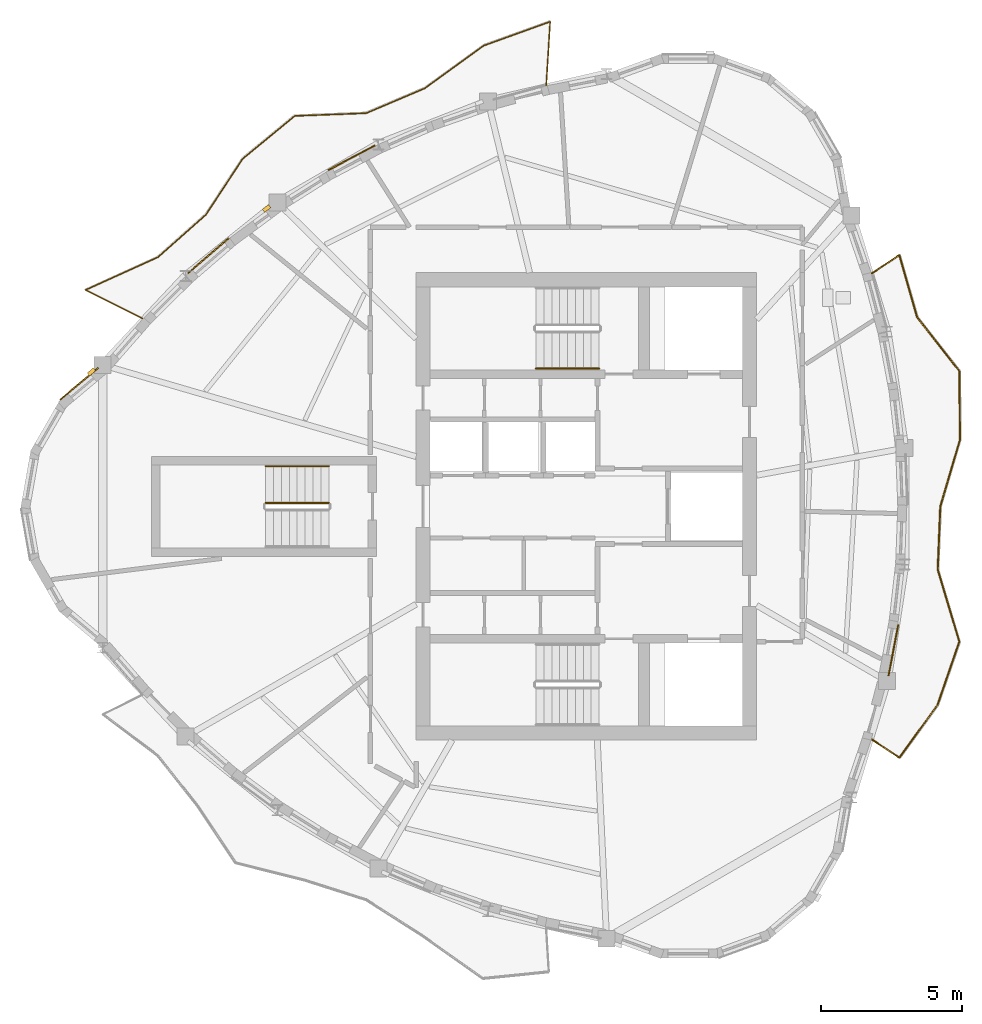
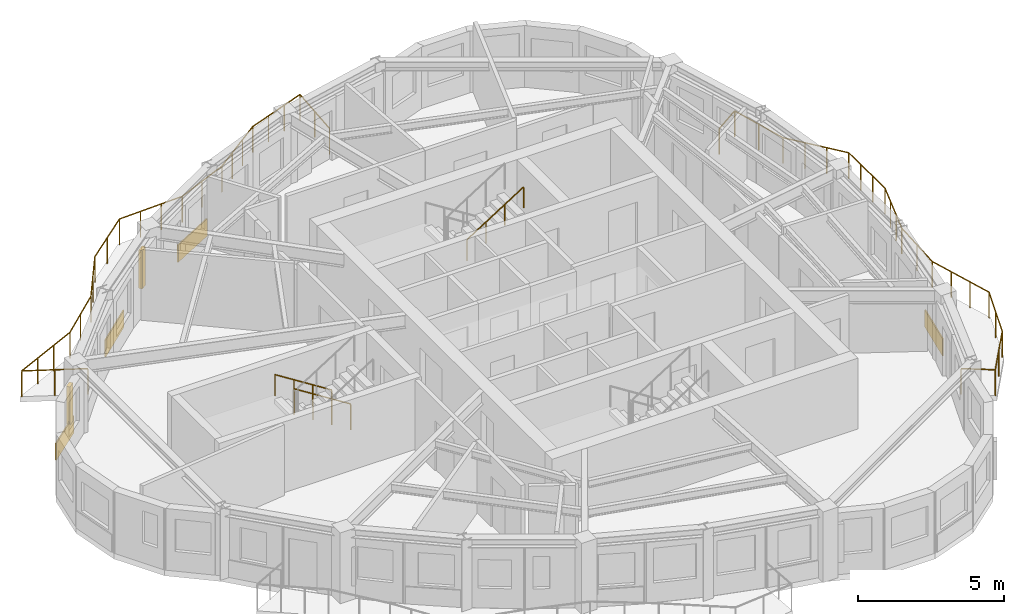
# One storey, part 9 of 11: 5 railings, 4 coverings, 2 shading devices.
"""IFC4 building model written with IfcOpenShell, lengths in metres."""

from ifc_helpers import new_model, si_unit, direction, frame, origin, origin_2d, place, context, subcontext, project, spatial, rectangle, circle, extrude, source, transform, mapped, material, layer, layer_set, type_object, element, save


model = new_model("IFC4")

# Units and contexts
model_context = context("Model", 3, precision=1e-05, world=origin(), true_north=direction((0.0, 1.0)))
body_context = subcontext(model_context, "Body", "Model", "MODEL_VIEW")
ifc_project = project(units=[si_unit("LENGTHUNIT", "METRE"), si_unit("AREAUNIT", "SQUARE_METRE"), si_unit("VOLUMEUNIT", "CUBIC_METRE"), si_unit("PLANEANGLEUNIT", "RADIAN"), si_unit("MASSUNIT", "GRAM", prefix="KILO")], contexts=[model_context])

# Site, building, storey
site_placement = place(None, origin())
site = spatial("IfcSite", under=ifc_project, at=site_placement, CompositionType="ELEMENT")
building_placement = place(site_placement, origin())
building = spatial("IfcBuilding", under=site, at=building_placement, Name="Qafzar Sky-Pleat Residences", CompositionType="ELEMENT")
storey_placement = place(building_placement, frame((0.0, 0.0, 243.60009765625)))
storey = spatial("IfcBuildingStorey", under=building, at=storey_placement, Name="L73", CompositionType="ELEMENT", Elevation=243.60009765625)

# Shading devices
ifc_material_1 = material(Name="Honed Riyadh limestone solar fin", Category="masonry")
ifc_layer_1 = layer(ifc_material_1, 0.139892578125)
ifc_layer_set_1 = layer_set([ifc_layer_1], Name="Honed Riyadh limestone solar fin")
shading_device_type = type_object("IfcShadingDeviceType", Name="SHD-FIN-STONE", PredefinedType="SHUTTER", material=ifc_layer_set_1)
shared_shape_1 = source(origin(), body_context, "Body", "SweptSolid", [
    extrude(rectangle(XDim=0.139892578125, YDim=0.280029296875, at=origin_2d()), origin(), (0.0, 0.0, 1.0), 1.60009765625),
])
for number, where, z_axis, x_axis, name in (
    (1, (12.77001953125, 30.7763671875, 0.599853515625), (0.0, 0.0, 1.0), (-0.642754210861, 0.76607246682, 0.0), "L73 Limestone Solar Fin 1"),
    (2, (18.992431640625, 36.58154296875, 0.599853515625), (0.0, 0.0, 1.0), (-0.594858533084, 0.803830408492, 0.0), "L73 Limestone Solar Fin 45"),
):
    element("IfcShadingDevice", number, at=place(storey_placement, frame(where, z_axis=z_axis, x_axis=x_axis)), inside=storey, type_object=shading_device_type, Name=name, PredefinedType="SHUTTER", context=body_context, shape_type="MappedRepresentation", body=[
        mapped(shared_shape_1, transform((0.0, 0.0, 0.0), x_axis=(1.0, 0.0, 0.0), y_axis=(0.0, 1.0, 0.0), z_axis=(0.0, 0.0, 1.0), scale=1.0)),
    ])

# Covering
ifc_material_2 = material(Name="Honed Riyadh Tuwaiq limestone cladding", Category="masonry")
ifc_layer_2 = layer(ifc_material_2, 0.044921875)
ifc_layer_set_2 = layer_set([ifc_layer_2], Name="Honed Riyadh Tuwaiq limestone cladding")
covering_type = type_object("IfcCoveringType", Name="COV-CLAD-STONE", PredefinedType="CLADDING", material=ifc_layer_set_2)
shared_shape_2 = source(origin(), body_context, "Body", "SweptSolid", [
    extrude(rectangle(XDim=1.76611328125, YDim=0.044921875, at=origin_2d()), origin(), (0.0, 0.0, 1.0), 0.719970703125),
])
covering_1_placement = place(storey_placement, frame((12.330322265625, 30.351318359375, 0.02001953125), z_axis=(0.0, 0.0, 1.0), x_axis=(-0.76607417096, -0.642752179762, 0.0)))
element("IfcCovering", 3, at=covering_1_placement, inside=storey, type_object=covering_type, Name="L73 Riyadh Limestone Spandrel Cladding 1", PredefinedType="CLADDING", context=body_context, shape_type="MappedRepresentation", body=[
    mapped(shared_shape_2, transform((0.0, 0.0, 0.0), x_axis=(1.0, 0.0, 0.0), y_axis=(0.0, 1.0, 0.0), z_axis=(0.0, 0.0, 1.0), scale=1.0)),
])

# Railings
ifc_material_3 = material(Name="Laminated glass and bronze steel balustrade", Category="steel")
railing_type_1 = type_object("IfcRailingType", Name="RAIL-BAL-1100", PredefinedType="BALUSTRADE", material=ifc_material_3)
shared_shape_3 = source(origin(), body_context, "Body", "SweptSolid", [
    extrude(circle(Radius=0.02392578125, at=origin_2d()), frame((0.0, 0.0, 1.076171875), z_axis=(0.833450721397, -0.552593788422, 0.0), x_axis=(0.552593788422, 0.833450721397, 0.0)), (0.0, 0.0, 1.0), 1.177978515625),
    extrude(circle(Radius=0.02392578125, at=origin_2d()), frame((0.981689453125, -0.65087890625, 1.076171875), z_axis=(0.586856651155, 0.809690849025, 0.0), x_axis=(-0.809690849025, 0.586856651155, 0.0)), (0.0, 0.0, 1.0), 2.308349609375),
    extrude(circle(Radius=0.02392578125, at=origin_2d()), frame((2.33642578125, 1.21826171875, 1.076171875), z_axis=(0.326575214364, 0.945171216957, 0.0), x_axis=(-0.945171216957, 0.326575214364, 0.0)), (0.0, 0.0, 1.0), 2.381103515625),
    extrude(circle(Radius=0.02392578125, at=origin_2d()), frame((3.114013671875, 3.46875, 1.076171875), z_axis=(-0.28765775721, 0.957733269087, 0.0), x_axis=(-0.957733269087, -0.28765775721, 0.0)), (0.0, 0.0, 1.0), 2.67431640625),
    extrude(circle(Radius=0.02392578125, at=origin_2d()), frame((2.3447265625, 6.030029296875, 1.076171875), z_axis=(0.040957231652, 0.999160900544, 0.0), x_axis=(-0.999160900544, 0.040957231652, 0.0)), (0.0, 0.0, 1.0), 2.247314453125),
    extrude(circle(Radius=0.02392578125, at=origin_2d()), frame((2.436767578125, 8.275390625, 1.076171875), z_axis=(0.283430981813, 0.95899263738, 0.0), x_axis=(-0.95899263738, 0.283430981813, 0.0)), (0.0, 0.0, 1.0), 2.466064453125),
    extrude(circle(Radius=0.02392578125, at=origin_2d()), frame((3.1357421875, 10.640380859375, 1.076171875), z_axis=(-0.008898757731, 0.999960405272, 0.0), x_axis=(-0.999960405272, -0.008898757731, 0.0)), (0.0, 0.0, 1.0), 2.441650390625),
    extrude(circle(Radius=0.02392578125, at=origin_2d()), frame((3.114013671875, 13.08203125, 1.076171875), z_axis=(-0.618279283458, 0.78595847705, 0.0), x_axis=(-0.78595847705, -0.618279283458, 0.0)), (0.0, 0.0, 1.0), 2.42578125),
    extrude(circle(Radius=0.02392578125, at=origin_2d()), frame((1.6142578125, 14.988525390625, 1.076171875), z_axis=(-0.274819188266, 0.961495924984, 0.0), x_axis=(-0.961495924984, -0.274819188266, 0.0)), (0.0, 0.0, 1.0), 2.3017578125),
    extrude(circle(Radius=0.02392578125, at=origin_2d()), frame((0.981689453125, 17.20166015625, 1.076171875), z_axis=(-0.833450721397, -0.552593788422, 0.0), x_axis=(0.552593788422, -0.833450721397, 0.0)), (0.0, 0.0, 1.0), 1.177978515625),
    extrude(circle(Radius=0.02099609375, at=origin_2d()), origin(), (0.0, 0.0, 1.0), 1.052001953125),
    extrude(circle(Radius=0.02099609375, at=origin_2d()), frame((0.981689453125, -0.65087890625, 0.0)), (0.0, 0.0, 1.0), 1.052001953125),
    extrude(circle(Radius=0.02099609375, at=origin_2d()), frame((1.6591796875, 0.28369140625, 0.0)), (0.0, 0.0, 1.0), 1.052001953125),
    extrude(circle(Radius=0.02099609375, at=origin_2d()), frame((2.33642578125, 1.21826171875, 0.0)), (0.0, 0.0, 1.0), 1.052001953125),
    extrude(circle(Radius=0.02099609375, at=origin_2d()), frame((2.72509765625, 2.343505859375, 0.0)), (0.0, 0.0, 1.0), 1.052001953125),
    extrude(circle(Radius=0.02099609375, at=origin_2d()), frame((3.114013671875, 3.46875, 0.0)), (0.0, 0.0, 1.0), 1.052001953125),
    extrude(circle(Radius=0.02099609375, at=origin_2d()), frame((2.857666015625, 4.322509765625, 0.0)), (0.0, 0.0, 1.0), 1.052001953125),
    extrude(circle(Radius=0.02099609375, at=origin_2d()), frame((2.60107421875, 5.17626953125, 0.0)), (0.0, 0.0, 1.0), 1.052001953125),
    extrude(circle(Radius=0.02099609375, at=origin_2d()), frame((2.3447265625, 6.030029296875, 0.0)), (0.0, 0.0, 1.0), 1.052001953125),
    extrude(circle(Radius=0.02099609375, at=origin_2d()), frame((2.390625, 7.15283203125, 0.0)), (0.0, 0.0, 1.0), 1.052001953125),
    extrude(circle(Radius=0.02099609375, at=origin_2d()), frame((2.436767578125, 8.275390625, 0.0)), (0.0, 0.0, 1.0), 1.052001953125),
    extrude(circle(Radius=0.02099609375, at=origin_2d()), frame((2.669677734375, 9.063720703125, 0.0)), (0.0, 0.0, 1.0), 1.052001953125),
    extrude(circle(Radius=0.02099609375, at=origin_2d()), frame((2.90283203125, 9.85205078125, 0.0)), (0.0, 0.0, 1.0), 1.052001953125),
    extrude(circle(Radius=0.02099609375, at=origin_2d()), frame((3.1357421875, 10.640380859375, 0.0)), (0.0, 0.0, 1.0), 1.052001953125),
    extrude(circle(Radius=0.02099609375, at=origin_2d()), frame((3.12841796875, 11.454345703125, 0.0)), (0.0, 0.0, 1.0), 1.052001953125),
    extrude(circle(Radius=0.02099609375, at=origin_2d()), frame((3.121337890625, 12.26806640625, 0.0)), (0.0, 0.0, 1.0), 1.052001953125),
    extrude(circle(Radius=0.02099609375, at=origin_2d()), frame((3.114013671875, 13.08203125, 0.0)), (0.0, 0.0, 1.0), 1.052001953125),
    extrude(circle(Radius=0.02099609375, at=origin_2d()), frame((2.614013671875, 13.717529296875, 0.0)), (0.0, 0.0, 1.0), 1.052001953125),
    extrude(circle(Radius=0.02099609375, at=origin_2d()), frame((2.1142578125, 14.35302734375, 0.0)), (0.0, 0.0, 1.0), 1.052001953125),
    extrude(circle(Radius=0.02099609375, at=origin_2d()), frame((1.6142578125, 14.988525390625, 0.0)), (0.0, 0.0, 1.0), 1.052001953125),
    extrude(circle(Radius=0.02099609375, at=origin_2d()), frame((1.2978515625, 16.09521484375, 0.0)), (0.0, 0.0, 1.0), 1.052001953125),
    extrude(circle(Radius=0.02099609375, at=origin_2d()), frame((0.981689453125, 17.20166015625, 0.0)), (0.0, 0.0, 1.0), 1.052001953125),
    extrude(circle(Radius=0.02099609375, at=origin_2d()), frame((0.0, 16.55078125, 0.0)), (0.0, 0.0, 1.0), 1.052001953125),
])
railing_1_placement = place(storey_placement, frame((40.484619140625, 17.724609375, 0.0)))
element("IfcRailing", 4, at=railing_1_placement, inside=storey, type_object=railing_type_1, Name="L73 Pleated Balcony 1 Balustrade", PredefinedType="BALUSTRADE", context=body_context, shape_type="MappedRepresentation", body=[
    mapped(shared_shape_3, transform((0.0, 0.0, 0.0), x_axis=(1.0, 0.0, 0.0), y_axis=(0.0, 1.0, 0.0), z_axis=(0.0, 0.0, 1.0), scale=1.0)),
])
shared_shape_4 = source(origin(), body_context, "Body", "SweptSolid", [
    extrude(circle(Radius=0.02392578125, at=origin_2d()), frame((0.0, 0.0, 1.076171875), z_axis=(0.061715590593, 0.998093776094, 0.0), x_axis=(-0.998093776094, 0.061715590593, 0.0)), (0.0, 0.0, 1.0), 2.270751953125),
    extrude(circle(Radius=0.02392578125, at=origin_2d()), frame((0.14013671875, 2.266357421875, 1.076171875), z_axis=(-0.940737430186, -0.339135794995, 0.0), x_axis=(0.339135794995, -0.940737430186, 0.0)), (0.0, 0.0, 1.0), 2.512451171875),
    extrude(circle(Radius=0.02392578125, at=origin_2d()), frame((-2.223388671875, 1.414306640625, 1.076171875), z_axis=(-0.809869436571, -0.586610173546, 0.0), x_axis=(0.586610173546, -0.809869436571, 0.0)), (0.0, 0.0, 1.0), 2.586181640625),
    extrude(circle(Radius=0.02392578125, at=origin_2d()), frame((-4.31787109375, -0.102783203125, 1.076171875), z_axis=(-0.920505136057, -0.390730462713, 0.0), x_axis=(0.390730462713, -0.920505136057, 0.0)), (0.0, 0.0, 1.0), 2.25634765625),
    extrude(circle(Radius=0.02392578125, at=origin_2d()), frame((-6.394775390625, -0.984375, 1.076171875), z_axis=(-0.999274607709, -0.038082258171, 0.0), x_axis=(0.038082258171, -0.999274607709, 0.0)), (0.0, 0.0, 1.0), 2.538818359375),
    extrude(circle(Radius=0.02392578125, at=origin_2d()), frame((-8.931640625, -1.0810546875, 1.076171875), z_axis=(-0.772171211019, -0.635414526804, 0.0), x_axis=(0.635414526804, -0.772171211019, 0.0)), (0.0, 0.0, 1.0), 2.3974609375),
    extrude(circle(Radius=0.02392578125, at=origin_2d()), frame((-10.782958984375, -2.6044921875, 1.076171875), z_axis=(-0.54903621046, -0.835798564012, 0.0), x_axis=(0.835798564012, -0.54903621046, 0.0)), (0.0, 0.0, 1.0), 2.372802734375),
    extrude(circle(Radius=0.02392578125, at=origin_2d()), frame((-12.085693359375, -4.587646484375, 1.076171875), z_axis=(-0.748332408445, -0.663323907658, 0.0), x_axis=(0.663323907658, -0.748332408445, 0.0)), (0.0, 0.0, 1.0), 2.274658203125),
    extrude(circle(Radius=0.02392578125, at=origin_2d()), frame((-13.787841796875, -6.096435546875, 1.076171875), z_axis=(-0.911012268258, -0.412379251519, 0.0), x_axis=(0.412379251519, -0.911012268258, 0.0)), (0.0, 0.0, 1.0), 2.83056640625),
    extrude(circle(Radius=0.02392578125, at=origin_2d()), frame((-16.366455078125, -7.263671875, 1.076171875), z_axis=(0.895221336926, -0.445621765529, 0.0), x_axis=(0.445621765529, 0.895221336926, 0.0)), (0.0, 0.0, 1.0), 2.27099609375),
    extrude(circle(Radius=0.02099609375, at=origin_2d()), origin(), (0.0, 0.0, 1.0), 1.052001953125),
    extrude(circle(Radius=0.02099609375, at=origin_2d()), frame((0.070068359375, 1.13330078125, 0.0)), (0.0, 0.0, 1.0), 1.052001953125),
    extrude(circle(Radius=0.02099609375, at=origin_2d()), frame((0.14013671875, 2.266357421875, 0.0)), (0.0, 0.0, 1.0), 1.052001953125),
    extrude(circle(Radius=0.02099609375, at=origin_2d()), frame((-0.647705078125, 1.982421875, 0.0)), (0.0, 0.0, 1.0), 1.052001953125),
    extrude(circle(Radius=0.02099609375, at=origin_2d()), frame((-1.435546875, 1.6982421875, 0.0)), (0.0, 0.0, 1.0), 1.052001953125),
    extrude(circle(Radius=0.02099609375, at=origin_2d()), frame((-2.223388671875, 1.414306640625, 0.0)), (0.0, 0.0, 1.0), 1.052001953125),
    extrude(circle(Radius=0.02099609375, at=origin_2d()), frame((-2.921630859375, 0.90869140625, 0.0)), (0.0, 0.0, 1.0), 1.052001953125),
    extrude(circle(Radius=0.02099609375, at=origin_2d()), frame((-3.61962890625, 0.40283203125, 0.0)), (0.0, 0.0, 1.0), 1.052001953125),
    extrude(circle(Radius=0.02099609375, at=origin_2d()), frame((-4.31787109375, -0.102783203125, 0.0)), (0.0, 0.0, 1.0), 1.052001953125),
    extrude(circle(Radius=0.02099609375, at=origin_2d()), frame((-5.3564453125, -0.54345703125, 0.0)), (0.0, 0.0, 1.0), 1.052001953125),
    extrude(circle(Radius=0.02099609375, at=origin_2d()), frame((-6.394775390625, -0.984375, 0.0)), (0.0, 0.0, 1.0), 1.052001953125),
    extrude(circle(Radius=0.02099609375, at=origin_2d()), frame((-7.240478515625, -1.0166015625, 0.0)), (0.0, 0.0, 1.0), 1.052001953125),
    extrude(circle(Radius=0.02099609375, at=origin_2d()), frame((-8.0859375, -1.048828125, 0.0)), (0.0, 0.0, 1.0), 1.052001953125),
    extrude(circle(Radius=0.02099609375, at=origin_2d()), frame((-8.931640625, -1.0810546875, 0.0)), (0.0, 0.0, 1.0), 1.052001953125),
    extrude(circle(Radius=0.02099609375, at=origin_2d()), frame((-9.857421875, -1.8427734375, 0.0)), (0.0, 0.0, 1.0), 1.052001953125),
    extrude(circle(Radius=0.02099609375, at=origin_2d()), frame((-10.782958984375, -2.6044921875, 0.0)), (0.0, 0.0, 1.0), 1.052001953125),
    extrude(circle(Radius=0.02099609375, at=origin_2d()), frame((-11.434326171875, -3.59619140625, 0.0)), (0.0, 0.0, 1.0), 1.052001953125),
    extrude(circle(Radius=0.02099609375, at=origin_2d()), frame((-12.085693359375, -4.587646484375, 0.0)), (0.0, 0.0, 1.0), 1.052001953125),
    extrude(circle(Radius=0.02099609375, at=origin_2d()), frame((-12.936767578125, -5.342041015625, 0.0)), (0.0, 0.0, 1.0), 1.052001953125),
    extrude(circle(Radius=0.02099609375, at=origin_2d()), frame((-13.787841796875, -6.096435546875, 0.0)), (0.0, 0.0, 1.0), 1.052001953125),
    extrude(circle(Radius=0.02099609375, at=origin_2d()), frame((-14.6474609375, -6.485595703125, 0.0)), (0.0, 0.0, 1.0), 1.052001953125),
    extrude(circle(Radius=0.02099609375, at=origin_2d()), frame((-15.5068359375, -6.87451171875, 0.0)), (0.0, 0.0, 1.0), 1.052001953125),
    extrude(circle(Radius=0.02099609375, at=origin_2d()), frame((-16.366455078125, -7.263671875, 0.0)), (0.0, 0.0, 1.0), 1.052001953125),
    extrude(circle(Radius=0.02099609375, at=origin_2d()), frame((-15.35009765625, -7.76953125, 0.0)), (0.0, 0.0, 1.0), 1.052001953125),
    extrude(circle(Radius=0.02099609375, at=origin_2d()), frame((-14.33349609375, -8.275634765625, 0.0)), (0.0, 0.0, 1.0), 1.052001953125),
])
railing_2_placement = place(storey_placement, frame((28.924560546875, 40.94970703125, 0.0)))
element("IfcRailing", 5, at=railing_2_placement, inside=storey, type_object=railing_type_1, Name="L73 Pleated Balcony 2 Balustrade", PredefinedType="BALUSTRADE", context=body_context, shape_type="MappedRepresentation", body=[
    mapped(shared_shape_4, transform((0.0, 0.0, 0.0), x_axis=(1.0, 0.0, 0.0), y_axis=(0.0, 1.0, 0.0), z_axis=(0.0, 0.0, 1.0), scale=1.0)),
])

# Coverings
shared_shape_5 = source(origin(), body_context, "Body", "SweptSolid", [
    extrude(rectangle(XDim=1.846923828125, YDim=0.044921875, at=origin_2d()), origin(), (0.0, 0.0, 1.0), 0.719970703125),
])
covering_2_placement = place(storey_placement, frame((41.25439453125, 20.890869140625, 0.02001953125), z_axis=(0.0, 0.0, 1.0), x_axis=(0.186632897237, 0.982429723527, 0.0)))
element("IfcCovering", 6, at=covering_2_placement, inside=storey, type_object=covering_type, Name="L73 Riyadh Limestone Spandrel Cladding 25", PredefinedType="CLADDING", context=body_context, shape_type="MappedRepresentation", body=[
    mapped(shared_shape_5, transform((0.0, 0.0, 0.0), x_axis=(1.0, 0.0, 0.0), y_axis=(0.0, 1.0, 0.0), z_axis=(0.0, 0.0, 1.0), scale=1.0)),
])
shared_shape_6 = source(origin(), body_context, "Body", "SweptSolid", [
    extrude(rectangle(XDim=1.878173828125, YDim=0.044921875, at=origin_2d()), origin(), (0.0, 0.0, 1.0), 0.719970703125),
])
covering_3_placement = place(storey_placement, frame((22.01318359375, 38.380615234375, 0.02001953125), z_axis=(0.0, 0.0, 1.0), x_axis=(-0.884387500281, -0.466753413856, 0.0)))
element("IfcCovering", 7, at=covering_3_placement, inside=storey, type_object=covering_type, Name="L73 Riyadh Limestone Spandrel Cladding 43", PredefinedType="CLADDING", context=body_context, shape_type="MappedRepresentation", body=[
    mapped(shared_shape_6, transform((0.0, 0.0, 0.0), x_axis=(1.0, 0.0, 0.0), y_axis=(0.0, 1.0, 0.0), z_axis=(0.0, 0.0, 1.0), scale=1.0)),
])
shared_shape_7 = source(origin(), body_context, "Body", "SweptSolid", [
    extrude(rectangle(XDim=1.909912109375, YDim=0.044921875, at=origin_2d()), origin(), (0.0, 0.0, 1.0), 0.719970703125),
])
covering_4_placement = place(storey_placement, frame((16.921630859375, 34.901123046875, 0.02001953125), z_axis=(0.0, 0.0, 1.0), x_axis=(-0.757454157709, -0.652888351075, 0.0)))
element("IfcCovering", 8, at=covering_4_placement, inside=storey, type_object=covering_type, Name="L73 Riyadh Limestone Spandrel Cladding 46", PredefinedType="CLADDING", context=body_context, shape_type="MappedRepresentation", body=[
    mapped(shared_shape_7, transform((0.0, 0.0, 0.0), x_axis=(1.0, 0.0, 0.0), y_axis=(0.0, 1.0, 0.0), z_axis=(0.0, 0.0, 1.0), scale=1.0)),
])

# Railings
ifc_material_4 = material(Name="Painted Steel S355 stair guardrail", Category="steel")
railing_type_2 = type_object("IfcRailingType", Name="RAIL-STAIR-GUARD", PredefinedType="GUARDRAIL", material=ifc_material_4)
shared_shape_8 = source(origin(), body_context, "Body", "SweptSolid", [
    extrude(circle(Radius=0.02392578125, at=origin_2d()), frame((0.0, 0.0, 1.076171875), z_axis=(-0.8442293374, 0.0, 0.53598211339), x_axis=(0.0, -1.0, 0.0)), (0.0, 0.0, 1.0), 2.6533203125),
    extrude(circle(Radius=0.02099609375, at=origin_2d()), origin(), (0.0, 0.0, 1.0), 1.052001953125),
    extrude(circle(Radius=0.02099609375, at=origin_2d()), frame((-0.74658203125, 0.0, 0.47412109375)), (0.0, 0.0, 1.0), 1.052001953125),
    extrude(circle(Radius=0.02099609375, at=origin_2d()), frame((-1.493408203125, 0.0, 0.947998046875)), (0.0, 0.0, 1.0), 1.052001953125),
    extrude(circle(Radius=0.02099609375, at=origin_2d()), frame((-2.239990234375, 0.0, 1.422119140625)), (0.0, 0.0, 1.0), 1.052001953125),
])
railing_3_placement = place(storey_placement, frame((21.199951171875, 26.125, 0.177734375)))
element("IfcRailing", 9, at=railing_3_placement, inside=storey, type_object=railing_type_2, Name="L73 ST3 stair guard 1", PredefinedType="GUARDRAIL", context=body_context, shape_type="MappedRepresentation", body=[
    mapped(shared_shape_8, transform((0.0, 0.0, 0.0), x_axis=(1.0, 0.0, 0.0), y_axis=(0.0, 1.0, 0.0), z_axis=(0.0, 0.0, 1.0), scale=1.0)),
])
ifc_material_5 = material(Name="Brushed stainless steel handrail", Category="steel")
railing_type_3 = type_object("IfcRailingType", Name="RAIL-STAIR-HAND", PredefinedType="HANDRAIL", material=ifc_material_5)
shared_shape_9 = source(origin(), body_context, "Body", "SweptSolid", [
    extrude(circle(Radius=0.02392578125, at=origin_2d()), frame((0.0, 0.0, 0.8759765625), z_axis=(-0.8442293374, 0.0, 0.53598211339), x_axis=(0.0, -1.0, 0.0)), (0.0, 0.0, 1.0), 2.6533203125),
    extrude(circle(Radius=0.02099609375, at=origin_2d()), origin(), (0.0, 0.0, 1.0), 0.851806640625),
    extrude(circle(Radius=0.02099609375, at=origin_2d()), frame((-0.74658203125, 0.0, 0.47412109375)), (0.0, 0.0, 1.0), 0.851806640625),
    extrude(circle(Radius=0.02099609375, at=origin_2d()), frame((-1.493408203125, 0.0, 0.947998046875)), (0.0, 0.0, 1.0), 0.851806640625),
    extrude(circle(Radius=0.02099609375, at=origin_2d()), frame((-2.239990234375, 0.0, 1.422119140625)), (0.0, 0.0, 1.0), 0.851806640625),
])
railing_4_placement = place(storey_placement, frame((21.199951171875, 27.425048828125, 0.177734375)))
element("IfcRailing", 10, at=railing_4_placement, inside=storey, type_object=railing_type_3, Name="L73 ST3 stair handrail 1", PredefinedType="HANDRAIL", context=body_context, shape_type="MappedRepresentation", body=[
    mapped(shared_shape_9, transform((0.0, 0.0, 0.0), x_axis=(1.0, 0.0, 0.0), y_axis=(0.0, 1.0, 0.0), z_axis=(0.0, 0.0, 1.0), scale=1.0)),
])
shared_shape_10 = source(origin(), body_context, "Body", "SweptSolid", [
    extrude(circle(Radius=0.02392578125, at=origin_2d()), frame((0.0, 0.0, 0.8759765625), z_axis=(0.84418770128, 0.0, 0.536047689118), x_axis=(0.0, 1.0, 0.0)), (0.0, 0.0, 1.0), 2.6533203125),
    extrude(circle(Radius=0.02099609375, at=origin_2d()), origin(), (0.0, 0.0, 1.0), 0.851806640625),
    extrude(circle(Radius=0.02099609375, at=origin_2d()), frame((0.74658203125, 0.0, 0.47412109375)), (0.0, 0.0, 1.0), 0.851806640625),
    extrude(circle(Radius=0.02099609375, at=origin_2d()), frame((1.493408203125, 0.0, 0.9482421875)), (0.0, 0.0, 1.0), 0.851806640625),
    extrude(circle(Radius=0.02099609375, at=origin_2d()), frame((2.239990234375, 0.0, 1.42236328125)), (0.0, 0.0, 1.0), 0.851806640625),
])
railing_5_placement = place(storey_placement, frame((28.56005859375, 30.89990234375, 1.777587890625)))
element("IfcRailing", 11, at=railing_5_placement, inside=storey, type_object=railing_type_3, Name="L73 ST2 stair handrail 2", PredefinedType="HANDRAIL", context=body_context, shape_type="MappedRepresentation", body=[
    mapped(shared_shape_10, transform((0.0, 0.0, 0.0), x_axis=(1.0, 0.0, 0.0), y_axis=(0.0, 1.0, 0.0), z_axis=(0.0, 0.0, 1.0), scale=1.0)),
])

save(model, "model.ifc")
